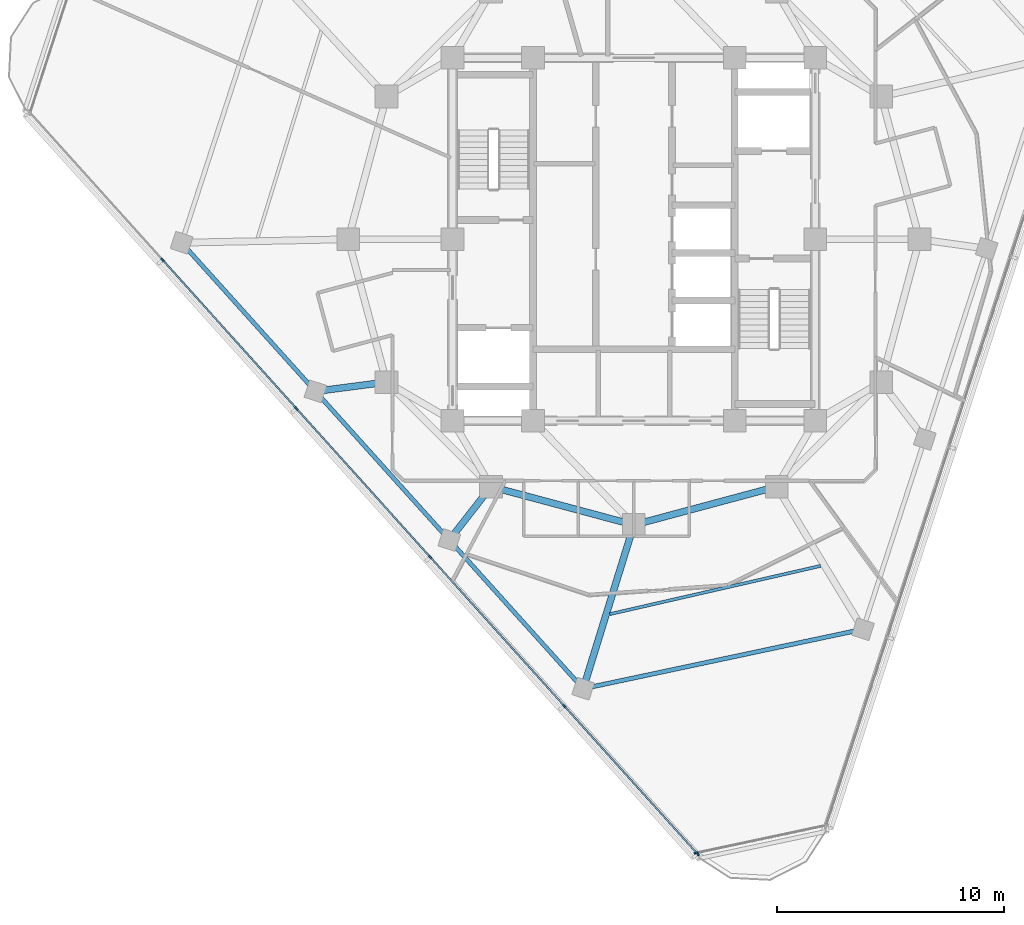
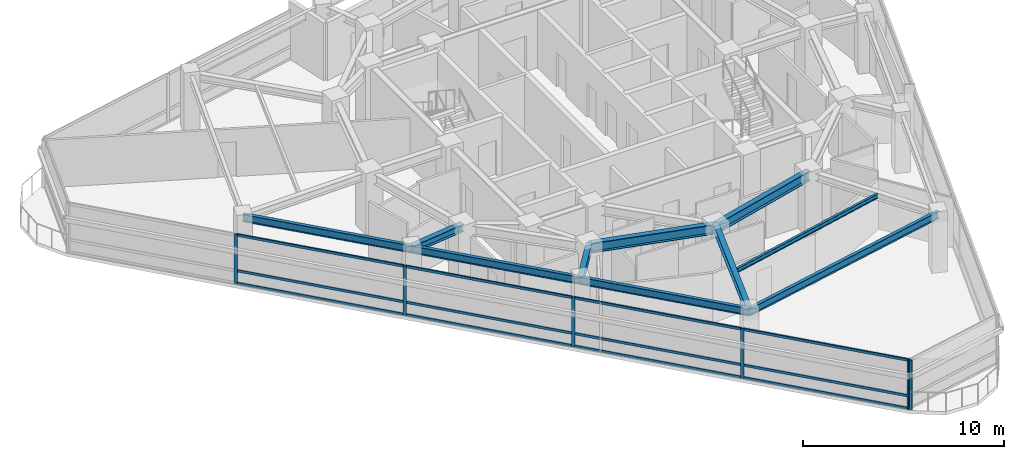
# One storey, part 2 of 15: 18 members, 10 beams, 2 elements without a shape of their own.
"""IFC4 building model written with IfcOpenShell, lengths in metres."""

from ifc_helpers import new_model, si_unit, direction, frame, origin, origin_2d, place, context, subcontext, project, spatial, rectangle, i_section, extrude, material, layer, layer_set, material_profile, profile_set, type_object, element, aggregate, save


model = new_model("IFC4")

# Units and contexts
model_context = context("Model", 3, precision=1e-05, world=origin(), true_north=direction((0.0, 1.0)))
body_context = subcontext(model_context, "Body", "Model", "MODEL_VIEW")
ifc_project = project(units=[si_unit("LENGTHUNIT", "METRE"), si_unit("AREAUNIT", "SQUARE_METRE"), si_unit("VOLUMEUNIT", "CUBIC_METRE"), si_unit("PLANEANGLEUNIT", "RADIAN"), si_unit("MASSUNIT", "GRAM", prefix="KILO")], contexts=[model_context])

# Site, building, storey
site_placement = place(None, origin())
site = spatial("IfcSite", under=ifc_project, at=site_placement, CompositionType="ELEMENT")
building_placement = place(site_placement, origin())
building = spatial("IfcBuilding", under=site, at=building_placement, Name="Terralouvre Media Tower", CompositionType="ELEMENT")
storey_placement = place(building_placement, frame((0.0, 0.0, 301.699951171875)))
storey = spatial("IfcBuildingStorey", under=building, at=storey_placement, Name="L78", CompositionType="ELEMENT", Elevation=301.699951171875)

# Beam
ifc_material_1 = material(Name="Structural steel S355J2", Category="steel")
ifc_material_profile_1 = material_profile(ifc_material_1, i_section(OverallWidth=0.135009765625, OverallDepth=0.27001953125, WebThickness=0.006591796875, FlangeThickness=0.01025390625, at=origin_2d()), Name="IPE 270")
ifc_profile_set_1 = profile_set([ifc_material_profile_1], Name="Structural steel S355J2")
beam_type_1 = type_object("IfcBeamType", Name="Composite Floor Joist J-IPE270 (IPE 270)", PredefinedType="JOIST", material=ifc_profile_set_1)
beam_1_placement = place(storey_placement, frame((-1.062744140625, -16.534912109375, 3.364990234375), z_axis=(0.974794010314, 0.223106784873, 0.0), x_axis=(-0.223106784873, 0.974794010314, 0.0)))
element("IfcBeam", 1, at=beam_1_placement, inside=storey, type_object=beam_type_1, Name="L78 Framing Beam JT-L78-02", PredefinedType="JOIST", context=body_context, shape_type="SweptSolid", body=[
    extrude(i_section(OverallWidth=0.135009765625, OverallDepth=0.27001953125, WebThickness=0.006591796875, FlangeThickness=0.01025390625, at=origin_2d()), origin(), (0.0, 0.0, 1.0), 9.544189453125),
])

# Curtain wall, members
ifc_material_2 = material(Name="Low-iron laminated double glazing with solar-control coating", Category="glass")
ifc_layer_1 = layer(ifc_material_2, 0.1650390625, Name="Faceted Glass-Point Crown Curtain Wall CW-06")
ifc_layer_set_1 = layer_set([ifc_layer_1], Name="Low-iron laminated double glazing with solar-control coating")
curtain_wall_type_1 = type_object("IfcCurtainWallType", Name="Faceted Glass-Point Crown Curtain Wall CW-06", PredefinedType="NOTDEFINED", material=ifc_layer_set_1)
curtain_wall_1_placement = place(storey_placement, origin())
curtain_wall_1 = element("IfcCurtainWall", 2, at=curtain_wall_1_placement, inside=storey, type_object=curtain_wall_type_1, Name="L78 Facade Curtain Wall F2", PredefinedType="NOTDEFINED")
ifc_material_3 = material(Name="Anodised extruded aluminium 6063-T6", Category="aluminium")
ifc_material_profile_2 = material_profile(ifc_material_3, rectangle(XDim=0.074951171875, YDim=0.14990234375, at=origin_2d()), Name="ALU 75x150")
ifc_profile_set_2 = profile_set([ifc_material_profile_2], Name="Anodised extruded aluminium 6063-T6")
member_type_1 = type_object("IfcMemberType", Name="Curtain-Wall Horizontal Transom TR-150", PredefinedType="USERDEFINED", material=ifc_profile_set_2)
member_1_placement = place(storey_placement, frame((-20.763671875, -0.935302734375, 0.03759765625), z_axis=(0.669121968521, -0.74315260293, 0.0), x_axis=(0.74315260293, 0.669121968521, 0.0)))
member_1 = element("IfcMember", 3, at=member_1_placement, type_object=member_type_1, Name="CW-06 transom 2.1", ObjectType="TRANSOM", PredefinedType="USERDEFINED", context=body_context, shape_type="SweptSolid", body=[
    extrude(rectangle(XDim=0.074951171875, YDim=0.14990234375, at=origin_2d()), origin(), (0.0, 0.0, 1.0), 8.749267578125),
])
member_2_placement = place(storey_placement, frame((-20.763671875, -0.935302734375, 0.800048828125), z_axis=(0.669121968521, -0.74315260293, 0.0), x_axis=(0.74315260293, 0.669121968521, 0.0)))
member_2 = element("IfcMember", 4, at=member_2_placement, type_object=member_type_1, Name="CW-06 transom 2.2", ObjectType="TRANSOM", PredefinedType="USERDEFINED", context=body_context, shape_type="SweptSolid", body=[
    extrude(rectangle(XDim=0.074951171875, YDim=0.14990234375, at=origin_2d()), origin(), (0.0, 0.0, 1.0), 8.749267578125),
])
member_3_placement = place(storey_placement, frame((-20.763671875, -0.935302734375, 2.962646484375), z_axis=(0.669121968521, -0.74315260293, 0.0), x_axis=(0.74315260293, 0.669121968521, 0.0)))
member_3 = element("IfcMember", 5, at=member_3_placement, type_object=member_type_1, Name="CW-06 transom 2.3", ObjectType="TRANSOM", PredefinedType="USERDEFINED", context=body_context, shape_type="SweptSolid", body=[
    extrude(rectangle(XDim=0.074951171875, YDim=0.14990234375, at=origin_2d()), origin(), (0.0, 0.0, 1.0), 8.749267578125),
])
member_4_placement = place(storey_placement, frame((-14.859375, -7.492919921875, 0.03759765625), z_axis=(0.669135844476, -0.743140109022, 0.0), x_axis=(0.743140109022, 0.669135844476, 0.0)))
member_4 = element("IfcMember", 6, at=member_4_placement, type_object=member_type_1, Name="CW-06 transom 3.1", ObjectType="TRANSOM", PredefinedType="USERDEFINED", context=body_context, shape_type="SweptSolid", body=[
    extrude(rectangle(XDim=0.074951171875, YDim=0.14990234375, at=origin_2d()), origin(), (0.0, 0.0, 1.0), 8.7490234375),
])
member_5_placement = place(storey_placement, frame((-14.859375, -7.492919921875, 0.800048828125), z_axis=(0.669135844476, -0.743140109022, 0.0), x_axis=(0.743140109022, 0.669135844476, 0.0)))
member_5 = element("IfcMember", 7, at=member_5_placement, type_object=member_type_1, Name="CW-06 transom 3.2", ObjectType="TRANSOM", PredefinedType="USERDEFINED", context=body_context, shape_type="SweptSolid", body=[
    extrude(rectangle(XDim=0.074951171875, YDim=0.14990234375, at=origin_2d()), origin(), (0.0, 0.0, 1.0), 8.7490234375),
])
member_6_placement = place(storey_placement, frame((-14.859375, -7.492919921875, 2.962646484375), z_axis=(0.669135844476, -0.743140109022, 0.0), x_axis=(0.743140109022, 0.669135844476, 0.0)))
member_6 = element("IfcMember", 8, at=member_6_placement, type_object=member_type_1, Name="CW-06 transom 3.3", ObjectType="TRANSOM", PredefinedType="USERDEFINED", context=body_context, shape_type="SweptSolid", body=[
    extrude(rectangle(XDim=0.074951171875, YDim=0.14990234375, at=origin_2d()), origin(), (0.0, 0.0, 1.0), 8.7490234375),
])
member_7_placement = place(storey_placement, frame((-8.954833984375, -14.050537109375, 0.03759765625), z_axis=(0.669135844476, -0.743140109022, 0.0), x_axis=(0.743140109022, 0.669135844476, 0.0)))
member_7 = element("IfcMember", 9, at=member_7_placement, type_object=member_type_1, Name="CW-06 transom 4.1", ObjectType="TRANSOM", PredefinedType="USERDEFINED", context=body_context, shape_type="SweptSolid", body=[
    extrude(rectangle(XDim=0.074951171875, YDim=0.14990234375, at=origin_2d()), origin(), (0.0, 0.0, 1.0), 8.7490234375),
])
member_8_placement = place(storey_placement, frame((-8.954833984375, -14.050537109375, 0.800048828125), z_axis=(0.669135844476, -0.743140109022, 0.0), x_axis=(0.743140109022, 0.669135844476, 0.0)))
member_8 = element("IfcMember", 10, at=member_8_placement, type_object=member_type_1, Name="CW-06 transom 4.2", ObjectType="TRANSOM", PredefinedType="USERDEFINED", context=body_context, shape_type="SweptSolid", body=[
    extrude(rectangle(XDim=0.074951171875, YDim=0.14990234375, at=origin_2d()), origin(), (0.0, 0.0, 1.0), 8.7490234375),
])
member_9_placement = place(storey_placement, frame((-8.954833984375, -14.050537109375, 2.962646484375), z_axis=(0.669135844476, -0.743140109022, 0.0), x_axis=(0.743140109022, 0.669135844476, 0.0)))
member_9 = element("IfcMember", 11, at=member_9_placement, type_object=member_type_1, Name="CW-06 transom 4.3", ObjectType="TRANSOM", PredefinedType="USERDEFINED", context=body_context, shape_type="SweptSolid", body=[
    extrude(rectangle(XDim=0.074951171875, YDim=0.14990234375, at=origin_2d()), origin(), (0.0, 0.0, 1.0), 8.7490234375),
])
member_10_placement = place(storey_placement, frame((-3.050537109375, -20.60791015625, 0.03759765625), z_axis=(0.669130389016, -0.743145021174, 0.0), x_axis=(0.743145021174, 0.669130389016, 0.0)))
member_10 = element("IfcMember", 12, at=member_10_placement, type_object=member_type_1, Name="CW-06 transom 5.1", ObjectType="TRANSOM", PredefinedType="USERDEFINED", context=body_context, shape_type="SweptSolid", body=[
    extrude(rectangle(XDim=0.074951171875, YDim=0.14990234375, at=origin_2d()), origin(), (0.0, 0.0, 1.0), 8.71142578125),
])
member_11_placement = place(storey_placement, frame((-3.050537109375, -20.60791015625, 0.800048828125), z_axis=(0.669130389016, -0.743145021174, 0.0), x_axis=(0.743145021174, 0.669130389016, 0.0)))
member_11 = element("IfcMember", 13, at=member_11_placement, type_object=member_type_1, Name="CW-06 transom 5.2", ObjectType="TRANSOM", PredefinedType="USERDEFINED", context=body_context, shape_type="SweptSolid", body=[
    extrude(rectangle(XDim=0.074951171875, YDim=0.14990234375, at=origin_2d()), origin(), (0.0, 0.0, 1.0), 8.71142578125),
])
member_12_placement = place(storey_placement, frame((-3.050537109375, -20.60791015625, 2.962646484375), z_axis=(0.669130389016, -0.743145021174, 0.0), x_axis=(0.743145021174, 0.669130389016, 0.0)))
member_12 = element("IfcMember", 14, at=member_12_placement, type_object=member_type_1, Name="CW-06 transom 5.3", ObjectType="TRANSOM", PredefinedType="USERDEFINED", context=body_context, shape_type="SweptSolid", body=[
    extrude(rectangle(XDim=0.074951171875, YDim=0.14990234375, at=origin_2d()), origin(), (0.0, 0.0, 1.0), 8.71142578125),
])
ifc_material_4 = material(Name="Anodised extruded aluminium 6063-T6", Category="aluminium")
ifc_material_profile_3 = material_profile(ifc_material_4, rectangle(XDim=0.074951171875, YDim=0.179931640625, at=origin_2d()), Name="ALU 75x180")
ifc_profile_set_3 = profile_set([ifc_material_profile_3], Name="Anodised extruded aluminium 6063-T6")
member_type_2 = type_object("IfcMemberType", Name="Curtain-Wall Vertical Mullion ML-180", PredefinedType="MULLION", material=ifc_profile_set_3)
member_13_placement = place(storey_placement, frame((-20.788818359375, -0.907470703125, 0.0), z_axis=(0.0, 0.0, 1.0), x_axis=(0.743144855036, 0.669130573531, 0.0)))
member_13 = element("IfcMember", 15, at=member_13_placement, type_object=member_type_2, Name="CW-06 mullion 2", PredefinedType="MULLION", context=body_context, shape_type="SweptSolid", body=[
    extrude(rectangle(XDim=0.074951171875, YDim=0.179931640625, at=origin_2d()), origin(), (0.0, 0.0, 1.0), 3.0),
])
member_14_placement = place(storey_placement, frame((-14.88427734375, -7.465087890625, 0.0), z_axis=(0.0, 0.0, 1.0), x_axis=(0.743144855036, 0.669130573531, 0.0)))
member_14 = element("IfcMember", 16, at=member_14_placement, type_object=member_type_2, Name="CW-06 mullion 3", PredefinedType="MULLION", context=body_context, shape_type="SweptSolid", body=[
    extrude(rectangle(XDim=0.074951171875, YDim=0.179931640625, at=origin_2d()), origin(), (0.0, 0.0, 1.0), 3.0),
])
member_15_placement = place(storey_placement, frame((-8.97998046875, -14.0224609375, 0.0), z_axis=(0.0, 0.0, 1.0), x_axis=(0.743144855036, 0.669130573531, 0.0)))
member_15 = element("IfcMember", 17, at=member_15_placement, type_object=member_type_2, Name="CW-06 mullion 4", PredefinedType="MULLION", context=body_context, shape_type="SweptSolid", body=[
    extrude(rectangle(XDim=0.074951171875, YDim=0.179931640625, at=origin_2d()), origin(), (0.0, 0.0, 1.0), 3.0),
])
member_16_placement = place(storey_placement, frame((-3.07568359375, -20.580078125, 0.0), z_axis=(0.0, 0.0, 1.0), x_axis=(0.743144855036, 0.669130573531, 0.0)))
member_16 = element("IfcMember", 18, at=member_16_placement, type_object=member_type_2, Name="CW-06 mullion 5", PredefinedType="MULLION", context=body_context, shape_type="SweptSolid", body=[
    extrude(rectangle(XDim=0.074951171875, YDim=0.179931640625, at=origin_2d()), origin(), (0.0, 0.0, 1.0), 3.0),
])
member_17_placement = place(storey_placement, frame((2.8037109375, -27.109619140625, 0.0), z_axis=(0.0, 0.0, 1.0), x_axis=(0.743144855036, 0.669130573531, 0.0)))
member_17 = element("IfcMember", 19, at=member_17_placement, type_object=member_type_2, Name="CW-06 mullion 6", PredefinedType="MULLION", context=body_context, shape_type="SweptSolid", body=[
    extrude(rectangle(XDim=0.074951171875, YDim=0.179931640625, at=origin_2d()), origin(), (0.0, 0.0, 1.0), 3.0),
])
aggregate(curtain_wall_1, [member_13, member_14, member_15, member_16, member_17, member_1, member_2, member_3, member_4, member_5, member_6, member_7, member_8, member_9, member_10, member_11, member_12])

# Curtain wall, member
ifc_material_5 = material(Name="Low-iron laminated double glazing with solar-control coating", Category="glass")
ifc_layer_2 = layer(ifc_material_5, 0.1650390625, Name="Rounded Wind-Corner Curved Glazing CW-04")
ifc_layer_set_2 = layer_set([ifc_layer_2], Name="Low-iron laminated double glazing with solar-control coating")
curtain_wall_type_2 = type_object("IfcCurtainWallType", Name="Rounded Wind-Corner Curved Glazing CW-04", PredefinedType="NOTDEFINED", material=ifc_layer_set_2)
curtain_wall_2_placement = place(storey_placement, origin())
curtain_wall_2 = element("IfcCurtainWall", 20, at=curtain_wall_2_placement, inside=storey, type_object=curtain_wall_type_2, Name="L78 Rounded Wind-Corner Curtain Wall C0", PredefinedType="NOTDEFINED")
member_18_placement = place(storey_placement, frame((2.747314453125, -27.0732421875, 0.0), z_axis=(0.0, 0.0, 1.0), x_axis=(-0.207911647592, 0.978147609922, 0.0)))
member_18 = element("IfcMember", 21, at=member_18_placement, type_object=member_type_2, Name="CW-04 mullion 1", PredefinedType="MULLION", context=body_context, shape_type="SweptSolid", body=[
    extrude(rectangle(XDim=0.074951171875, YDim=0.179931640625, at=origin_2d()), origin(), (0.0, 0.0, 1.0), 3.0),
])
aggregate(curtain_wall_2, [member_18])

# Beams
ifc_material_6 = material(Name="Structural steel S355J2", Category="steel")
ifc_material_profile_4 = material_profile(ifc_material_6, i_section(OverallWidth=0.18994140625, OverallDepth=0.449951171875, WebThickness=0.009521484375, FlangeThickness=0.0146484375, at=origin_2d()), Name="IPE 450")
ifc_profile_set_4 = profile_set([ifc_material_profile_4], Name="Structural steel S355J2")
beam_type_2 = type_object("IfcBeamType", Name="Perimeter Spandrel Beam SPB-450 (IPE 450)", PredefinedType="SPANDREL", material=ifc_profile_set_4)
for number, where, z_axis, x_axis, name in (
    (22, (-19.948974609375, -0.1513671875, 3.275146484375), (0.669117578136, -0.743156555935, 0.0), (0.743156555935, 0.669117578136, 0.0), "L78 Framing Beam BM-L78-PR01"),
    (23, (-14.044677734375, -6.708984375, 3.275146484375), (0.669146616148, -0.743130409887, 0.0), (0.743130409887, 0.669146616148, 0.0), "L78 Framing Beam BM-L78-PR02"),
    (24, (-8.14013671875, -13.266357421875, 3.275146484375), (0.669117578136, -0.743156555935, 0.0), (0.743156555935, 0.669117578136, 0.0), "L78 Framing Beam BM-L78-PR03"),
):
    element("IfcBeam", number, at=place(storey_placement, frame(where, z_axis=z_axis, x_axis=x_axis)), inside=storey, type_object=beam_type_2, Name=name, PredefinedType="SPANDREL", context=body_context, shape_type="SweptSolid", body=[
        extrude(i_section(OverallWidth=0.18994140625, OverallDepth=0.449951171875, WebThickness=0.009521484375, FlangeThickness=0.0146484375, at=origin_2d()), origin(), (0.0, 0.0, 1.0), 8.823974609375),
    ])
beam_2_placement = place(storey_placement, frame((-2.23583984375, -19.823974609375, 3.275146484375), z_axis=(0.978147391184, 0.207912676669, 0.0), x_axis=(-0.207912676669, 0.978147391184, 0.0)))
element("IfcBeam", 25, at=beam_2_placement, inside=storey, type_object=beam_type_2, Name="L78 Framing Beam BM-L78-PR04", PredefinedType="SPANDREL", context=body_context, shape_type="SweptSolid", body=[
    extrude(i_section(OverallWidth=0.18994140625, OverallDepth=0.449951171875, WebThickness=0.009521484375, FlangeThickness=0.0146484375, at=origin_2d()), origin(), (0.0, 0.0, 1.0), 12.6171875),
])
ifc_material_7 = material(Name="Structural steel S355J2", Category="steel")
ifc_material_profile_5 = material_profile(ifc_material_7, i_section(OverallWidth=0.300048828125, OverallDepth=0.449951171875, WebThickness=0.013916015625, FlangeThickness=0.02587890625, at=origin_2d()), Name="HEB 450")
ifc_profile_set_5 = profile_set([ifc_material_profile_5], Name="Structural steel S355J2")
beam_type_3 = type_object("IfcBeamType", Name="Primary Floor Girder B-HEB450 (HEB 450)", PredefinedType="BEAM", material=ifc_profile_set_5)
beam_3_placement = place(storey_placement, frame((-10.911865234375, -6.300048828125, 3.275146484375), z_axis=(-0.991587910477, -0.129434986756, 0.0), x_axis=(0.129434986756, -0.991587910477, 0.0)))
element("IfcBeam", 26, at=beam_3_placement, inside=storey, type_object=beam_type_3, Name="L78 Framing Beam BM-L78-RD02", PredefinedType="BEAM", context=body_context, shape_type="SweptSolid", body=[
    extrude(i_section(OverallWidth=0.300048828125, OverallDepth=0.449951171875, WebThickness=0.013916015625, FlangeThickness=0.02587890625, at=origin_2d()), origin(), (0.0, 0.0, 1.0), 3.159423828125),
])
beam_4_placement = place(storey_placement, frame((-6.300048828125, -10.911865234375, 3.275146484375), z_axis=(-0.615777211554, -0.787920316867, 0.0), x_axis=(0.787920316867, -0.615777211554, 0.0)))
element("IfcBeam", 27, at=beam_4_placement, inside=storey, type_object=beam_type_3, Name="L78 Framing Beam BM-L78-RD03", PredefinedType="BEAM", context=body_context, shape_type="SweptSolid", body=[
    extrude(i_section(OverallWidth=0.300048828125, OverallDepth=0.449951171875, WebThickness=0.013916015625, FlangeThickness=0.02587890625, at=origin_2d()), origin(), (0.0, 0.0, 1.0), 2.98828125),
])
beam_5_placement = place(storey_placement, frame((0.0, -12.60009765625, 3.275146484375), z_axis=(-0.295668996709, -0.955290450274, 0.0), x_axis=(0.955290450274, -0.295668996709, 0.0)))
element("IfcBeam", 28, at=beam_5_placement, inside=storey, type_object=beam_type_3, Name="L78 Framing Beam BM-L78-RD04", PredefinedType="BEAM", context=body_context, shape_type="SweptSolid", body=[
    extrude(i_section(OverallWidth=0.300048828125, OverallDepth=0.449951171875, WebThickness=0.013916015625, FlangeThickness=0.02587890625, at=origin_2d()), origin(), (0.0, 0.0, 1.0), 7.56201171875),
])
ifc_material_8 = material(Name="Structural steel S460M", Category="steel")
ifc_material_profile_6 = material_profile(ifc_material_8, i_section(OverallWidth=0.300048828125, OverallDepth=0.60009765625, WebThickness=0.015380859375, FlangeThickness=0.030029296875, at=origin_2d()), Name="HEB 600")
ifc_profile_set_6 = profile_set([ifc_material_profile_6], Name="Structural steel S460M")
beam_type_4 = type_object("IfcBeamType", Name="Primary Floor Girder B-HEB600 (HEB 600)", PredefinedType="BEAM", material=ifc_profile_set_6)
for number, where, z_axis, x_axis, name in (
    (29, (-6.300048828125, -10.911865234375, 3.199951171875), (0.965920481897, -0.258838989821, 0.0), (0.258838989821, 0.965920481897, 0.0), "L78 Framing Beam BM-L78-MR02"),
    (30, (0.0, -12.60009765625, 3.199951171875), (0.965920481897, 0.258838989821, 0.0), (-0.258838989821, 0.965920481897, 0.0), "L78 Framing Beam BM-L78-MR03"),
):
    element("IfcBeam", number, at=place(storey_placement, frame(where, z_axis=z_axis, x_axis=x_axis)), inside=storey, type_object=beam_type_4, Name=name, PredefinedType="BEAM", context=body_context, shape_type="SweptSolid", body=[
        extrude(i_section(OverallWidth=0.300048828125, OverallDepth=0.60009765625, WebThickness=0.015380859375, FlangeThickness=0.030029296875, at=origin_2d()), origin(), (0.0, 0.0, 1.0), 6.522216796875),
    ])

save(model, "model.ifc")
